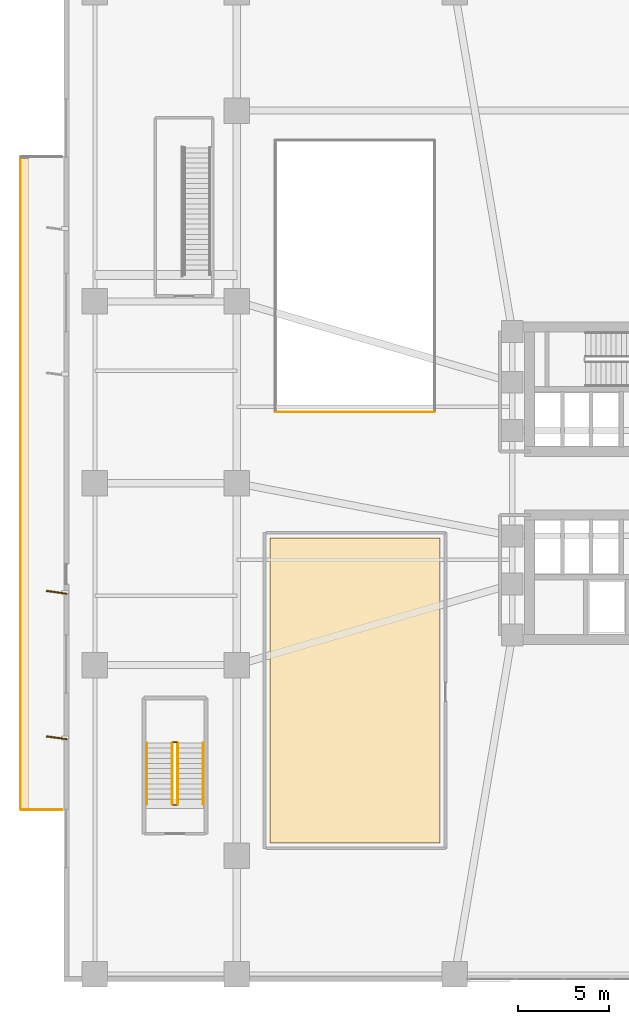
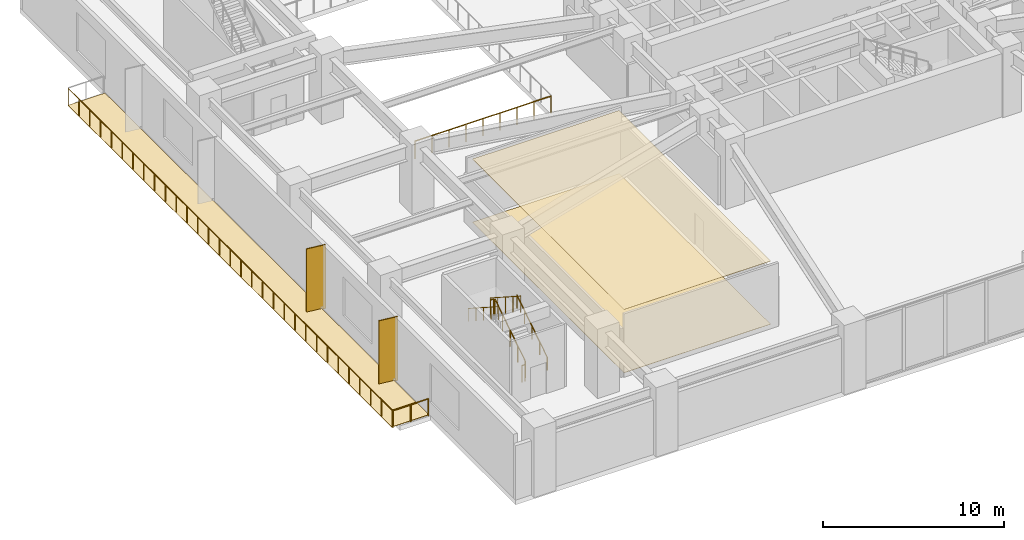
# One storey, part 10 of 13: 9 railings, 3 coverings, 2 shading devices.
"""IFC4 building model written with IfcOpenShell, lengths in metres."""

from ifc_helpers import new_model, si_unit, direction, frame, origin, origin_2d, place, context, subcontext, project, spatial, polyline, rectangle, circle, outline, extrude, material, layer, layer_set, type_object, element, save


model = new_model("IFC4")

# Units and contexts
model_context = context("Model", 3, precision=1e-05, world=origin(), true_north=direction((0.0, 1.0)))
body_context = subcontext(model_context, "Body", "Model", "MODEL_VIEW")
ifc_project = project(units=[si_unit("LENGTHUNIT", "METRE"), si_unit("AREAUNIT", "SQUARE_METRE"), si_unit("VOLUMEUNIT", "CUBIC_METRE"), si_unit("PLANEANGLEUNIT", "RADIAN"), si_unit("MASSUNIT", "GRAM", prefix="KILO")], contexts=[model_context])

# Site, building, storey
site_placement = place(None, origin())
site = spatial("IfcSite", under=ifc_project, at=site_placement, CompositionType="ELEMENT")
building_placement = place(site_placement, origin())
building = spatial("IfcBuilding", under=site, at=building_placement, Name="Solmarez Civic Tower", CompositionType="ELEMENT")
storey_placement = place(building_placement, frame((0.0, 0.0, 14.760009765625)))
storey = spatial("IfcBuildingStorey", under=building, at=storey_placement, Name="L03", CompositionType="ELEMENT", Elevation=14.760009765625)

# Coverings
ifc_material_1 = material(Name="Perforated Mineral-Fibre Acoustic Ceiling")
ifc_layer_1 = layer(ifc_material_1, 0.02490234375)
ifc_layer_set_1 = layer_set([ifc_layer_1], Name="Perforated Mineral-Fibre Acoustic Ceiling")
covering_type_1 = type_object("IfcCoveringType", Name="COV-CEIL-ACOUSTIC", PredefinedType="CEILING", material=ifc_layer_set_1)
covering_1_placement = place(storey_placement, frame((0.0, 0.0, 4.2548828125)))
element("IfcCovering", 1, at=covering_1_placement, inside=storey, type_object=covering_type_1, Name="L03 Suspended Acoustic Ceiling 1", PredefinedType="CEILING", context=body_context, shape_type="SweptSolid", body=[
    extrude(outline(polyline([(-12.820068359375, -19.780029296875), (-12.820068359375, -3.02001953125), (-22.179931640625, -3.02001953125), (-22.179931640625, -19.780029296875), (-12.820068359375, -19.780029296875)])), origin(), (0.0, 0.0, 1.0), 0.025146484375),
])
ifc_material_2 = material(Name="Polished Tropical Stone Terrazzo Flooring", Category="masonry")
ifc_layer_2 = layer(ifc_material_2, 0.02001953125)
ifc_layer_set_2 = layer_set([ifc_layer_2], Name="Polished Tropical Stone Terrazzo Flooring")
covering_type_2 = type_object("IfcCoveringType", Name="COV-FLOOR-TERRAZZO", PredefinedType="FLOORING", material=ifc_layer_set_2)
covering_2_placement = place(storey_placement, origin())
element("IfcCovering", 2, at=covering_2_placement, inside=storey, type_object=covering_type_2, Name="L03 Terrazzo Floor Finish 1", PredefinedType="FLOORING", context=body_context, shape_type="SweptSolid", body=[
    extrude(outline(polyline([(-12.820068359375, -19.780029296875), (-12.820068359375, -3.02001953125), (-22.179931640625, -3.02001953125), (-22.179931640625, -19.780029296875), (-12.820068359375, -19.780029296875)])), origin(), (0.0, 0.0, 1.0), 0.02001953125),
])
ifc_material_3 = material(Name="Elastomeric Terrace Waterproofing Membrane")
ifc_layer_3 = layer(ifc_material_3, 0.030029296875)
ifc_layer_set_3 = layer_set([ifc_layer_3], Name="Elastomeric Terrace Waterproofing Membrane")
covering_type_3 = type_object("IfcCoveringType", Name="COV-MEMBRANE-ROOF", PredefinedType="ROOFING", material=ifc_layer_set_3)
covering_3_placement = place(storey_placement, origin())
element("IfcCovering", 3, at=covering_3_placement, inside=storey, type_object=covering_type_3, Name="L03 Terrace Waterproofing Membrane W", PredefinedType="ROOFING", context=body_context, shape_type="SweptSolid", body=[
    extrude(outline(polyline([(-35.919921875, -17.89990234375), (-33.56005859375, -17.89990234375), (-33.56005859375, 17.89990234375), (-35.919921875, 17.89990234375), (-35.919921875, -17.89990234375)])), origin(), (0.0, 0.0, 1.0), 0.030029296875),
])

# Shading devices
ifc_material_4 = material(Name="Bronze Anodised Aluminium EN AW-6063 T6", Category="aluminium")
ifc_layer_4 = layer(ifc_material_4, 0.070068359375)
ifc_layer_set_4 = layer_set([ifc_layer_4], Name="Bronze Anodised Aluminium EN AW-6063 T6")
shading_device_type = type_object("IfcShadingDeviceType", Name="FIN-BRONZE-POD", PredefinedType="USERDEFINED", material=ifc_layer_set_4)
for number, where, z_axis, x_axis, name in (
    (4, (-33.89501953125, -14.0, -0.0400390625), (0.0, 0.0, 1.0), (-0.990983199715, 0.133986185418, 0.0), "L03 Anodised Bronze Solar Fin FIN-L03-W1"),
    (5, (-33.89501953125, -6.0, -0.0400390625), (0.0, 0.0, 1.0), (-0.990983199715, 0.133986185418, 0.0), "L03 Anodised Bronze Solar Fin FIN-L03-W2"),
):
    element("IfcShadingDevice", number, at=place(storey_placement, frame(where, z_axis=z_axis, x_axis=x_axis)), inside=storey, type_object=shading_device_type, Name=name, ObjectType="FIN", PredefinedType="USERDEFINED", context=body_context, shape_type="SweptSolid", body=[
        extrude(rectangle(XDim=1.14990234375, YDim=0.070068359375, at=origin_2d()), origin(), (0.0, 0.0, 1.0), 4.320068359375),
    ])

# Railings
ifc_material_5 = material(Name="Painted Steel Stairwell Safety Guard", Category="steel")
railing_type_1 = type_object("IfcRailingType", Name="GUARD-STAIR-1120", PredefinedType="BALUSTRADE", material=ifc_material_5)
railing_1_placement = place(storey_placement, frame((-27.25, -17.64990234375, 0.179931640625)))
element("IfcRailing", 6, at=railing_1_placement, inside=storey, type_object=railing_type_1, Name="L03 ST-P1 stair guard 1", PredefinedType="BALUSTRADE", context=body_context, shape_type="SweptSolid", body=[
    extrude(circle(Radius=0.02392578125, at=origin_2d()), frame((0.0, 0.0, 1.09619140625), z_axis=(0.0, 0.841150671818, 0.540800838849), x_axis=(-1.0, 0.0, 0.0)), (0.0, 0.0, 1.0), 3.994384765625),
    extrude(circle(Radius=0.02099609375, at=origin_2d()), origin(), (0.0, 0.0, 1.0), 1.072021484375),
    extrude(circle(Radius=0.02099609375, at=origin_2d()), frame((0.0, 0.83984375, 0.5400390625)), (0.0, 0.0, 1.0), 1.072021484375),
    extrude(circle(Radius=0.02099609375, at=origin_2d()), frame((0.0, 1.679931640625, 1.080078125)), (0.0, 0.0, 1.0), 1.072021484375),
    extrude(circle(Radius=0.02099609375, at=origin_2d()), frame((0.0, 2.52001953125, 1.6201171875)), (0.0, 0.0, 1.0), 1.072021484375),
    extrude(circle(Radius=0.02099609375, at=origin_2d()), frame((0.0, 3.35986328125, 2.16015625)), (0.0, 0.0, 1.0), 1.072021484375),
])
railing_2_placement = place(storey_placement, frame((-27.300048828125, -14.239990234375, 2.340087890625)))
element("IfcRailing", 7, at=railing_2_placement, inside=storey, type_object=railing_type_1, Name="L03 ST-P1 stair guard 2", PredefinedType="BALUSTRADE", context=body_context, shape_type="SweptSolid", body=[
    extrude(circle(Radius=0.02392578125, at=origin_2d()), frame((0.0, 0.0, 1.09619140625), z_axis=(-1.0, 0.0, 0.0), x_axis=(0.0, -1.0, 0.0)), (0.0, 0.0, 1.0), 0.199951171875),
    extrude(circle(Radius=0.02099609375, at=origin_2d()), origin(), (0.0, 0.0, 1.0), 1.072021484375),
    extrude(circle(Radius=0.02099609375, at=origin_2d()), frame((-0.199951171875, 0.0, 0.0)), (0.0, 0.0, 1.0), 1.072021484375),
])
railing_3_placement = place(storey_placement, frame((-27.550048828125, -14.2900390625, 2.52001953125)))
element("IfcRailing", 8, at=railing_3_placement, inside=storey, type_object=railing_type_1, Name="L03 ST-P1 stair guard 3", PredefinedType="BALUSTRADE", context=body_context, shape_type="SweptSolid", body=[
    extrude(circle(Radius=0.02392578125, at=origin_2d()), frame((0.0, 0.0, 1.09619140625), z_axis=(0.0, -0.841178475377, 0.540757591313), x_axis=(1.0, 0.0, 0.0)), (0.0, 0.0, 1.0), 3.994140625),
    extrude(circle(Radius=0.02099609375, at=origin_2d()), origin(), (0.0, 0.0, 1.0), 1.072021484375),
    extrude(circle(Radius=0.02099609375, at=origin_2d()), frame((0.0, -0.83984375, 0.5400390625)), (0.0, 0.0, 1.0), 1.072021484375),
    extrude(circle(Radius=0.02099609375, at=origin_2d()), frame((0.0, -1.679931640625, 1.080078125)), (0.0, 0.0, 1.0), 1.072021484375),
    extrude(circle(Radius=0.02099609375, at=origin_2d()), frame((0.0, -2.52001953125, 1.619873046875)), (0.0, 0.0, 1.0), 1.072021484375),
    extrude(circle(Radius=0.02099609375, at=origin_2d()), frame((0.0, -3.35986328125, 2.159912109375)), (0.0, 0.0, 1.0), 1.072021484375),
])
railing_4_placement = place(storey_placement, frame((-27.300048828125, -17.699951171875, 0.0)))
element("IfcRailing", 9, at=railing_4_placement, inside=storey, type_object=railing_type_1, Name="L03 ST-P1 stair guard 4", PredefinedType="BALUSTRADE", context=body_context, shape_type="SweptSolid", body=[
    extrude(circle(Radius=0.02392578125, at=origin_2d()), frame((0.0, 0.0, 1.09619140625), z_axis=(-1.0, 0.0, 0.0), x_axis=(0.0, -1.0, 0.0)), (0.0, 0.0, 1.0), 0.199951171875),
    extrude(circle(Radius=0.02099609375, at=origin_2d()), origin(), (0.0, 0.0, 1.0), 1.072021484375),
    extrude(circle(Radius=0.02099609375, at=origin_2d()), frame((-0.199951171875, 0.0, 0.0)), (0.0, 0.0, 1.0), 1.072021484375),
])
ifc_material_6 = material(Name="Bronze Anodised Aluminium and Laminated Safety Glass Balustrade", Category="aluminium")
railing_type_2 = type_object("IfcRailingType", Name="GUARD-TERR-1180", PredefinedType="BALUSTRADE", material=ifc_material_6)
railing_5_placement = place(storey_placement, frame((-33.614990234375, -17.949951171875, 0.0)))
element("IfcRailing", 10, at=railing_5_placement, inside=storey, type_object=railing_type_2, Name="L03 Safety Balustrade GRD-TERR-L03-W-1", PredefinedType="BALUSTRADE", context=body_context, shape_type="SweptSolid", body=[
    extrude(circle(Radius=0.02392578125, at=origin_2d()), frame((0.0, 0.0, 1.15576171875), z_axis=(-1.0, 0.0, 0.0), x_axis=(0.0, -1.0, 0.0)), (0.0, 0.0, 1.0), 2.25),
    extrude(circle(Radius=0.02099609375, at=origin_2d()), origin(), (0.0, 0.0, 1.0), 1.1318359375),
    extrude(circle(Radius=0.02099609375, at=origin_2d()), frame((-1.125, 0.0, 0.0)), (0.0, 0.0, 1.0), 1.1318359375),
    extrude(circle(Radius=0.02099609375, at=origin_2d()), frame((-2.25, 0.0, 0.0)), (0.0, 0.0, 1.0), 1.1318359375),
])
railing_6_placement = place(storey_placement, frame((-35.89990234375, -17.9150390625, 0.0)))
element("IfcRailing", 11, at=railing_6_placement, inside=storey, type_object=railing_type_2, Name="L03 Safety Balustrade GRD-TERR-L03-W-2", PredefinedType="BALUSTRADE", context=body_context, shape_type="SweptSolid", body=[
    extrude(circle(Radius=0.02392578125, at=origin_2d()), frame((0.0, 0.0, 1.15576171875), z_axis=(0.0, 1.0, 0.0), x_axis=(-1.0, 0.0, 0.0)), (0.0, 0.0, 1.0), 35.830078125),
    extrude(circle(Radius=0.02099609375, at=origin_2d()), origin(), (0.0, 0.0, 1.0), 1.1318359375),
    extrude(circle(Radius=0.02099609375, at=origin_2d()), frame((0.0, 1.1943359375, 0.0)), (0.0, 0.0, 1.0), 1.1318359375),
    extrude(circle(Radius=0.02099609375, at=origin_2d()), frame((0.0, 2.388671875, 0.0)), (0.0, 0.0, 1.0), 1.1318359375),
    extrude(circle(Radius=0.02099609375, at=origin_2d()), frame((0.0, 3.5830078125, 0.0)), (0.0, 0.0, 1.0), 1.1318359375),
    extrude(circle(Radius=0.02099609375, at=origin_2d()), frame((0.0, 4.77734375, 0.0)), (0.0, 0.0, 1.0), 1.1318359375),
    extrude(circle(Radius=0.02099609375, at=origin_2d()), frame((0.0, 5.9716796875, 0.0)), (0.0, 0.0, 1.0), 1.1318359375),
    extrude(circle(Radius=0.02099609375, at=origin_2d()), frame((0.0, 7.166015625, 0.0)), (0.0, 0.0, 1.0), 1.1318359375),
    extrude(circle(Radius=0.02099609375, at=origin_2d()), frame((0.0, 8.3603515625, 0.0)), (0.0, 0.0, 1.0), 1.1318359375),
    extrude(circle(Radius=0.02099609375, at=origin_2d()), frame((0.0, 9.5546875, 0.0)), (0.0, 0.0, 1.0), 1.1318359375),
    extrude(circle(Radius=0.02099609375, at=origin_2d()), frame((0.0, 10.7490234375, 0.0)), (0.0, 0.0, 1.0), 1.1318359375),
    extrude(circle(Radius=0.02099609375, at=origin_2d()), frame((0.0, 11.943359375, 0.0)), (0.0, 0.0, 1.0), 1.1318359375),
    extrude(circle(Radius=0.02099609375, at=origin_2d()), frame((0.0, 13.1376953125, 0.0)), (0.0, 0.0, 1.0), 1.1318359375),
    extrude(circle(Radius=0.02099609375, at=origin_2d()), frame((0.0, 14.33203125, 0.0)), (0.0, 0.0, 1.0), 1.1318359375),
    extrude(circle(Radius=0.02099609375, at=origin_2d()), frame((0.0, 15.5263671875, 0.0)), (0.0, 0.0, 1.0), 1.1318359375),
    extrude(circle(Radius=0.02099609375, at=origin_2d()), frame((0.0, 16.720703125, 0.0)), (0.0, 0.0, 1.0), 1.1318359375),
    extrude(circle(Radius=0.02099609375, at=origin_2d()), frame((0.0, 17.9150390625, 0.0)), (0.0, 0.0, 1.0), 1.1318359375),
    extrude(circle(Radius=0.02099609375, at=origin_2d()), frame((0.0, 19.109375, 0.0)), (0.0, 0.0, 1.0), 1.1318359375),
    extrude(circle(Radius=0.02099609375, at=origin_2d()), frame((0.0, 20.3037109375, 0.0)), (0.0, 0.0, 1.0), 1.1318359375),
    extrude(circle(Radius=0.02099609375, at=origin_2d()), frame((0.0, 21.498046875, 0.0)), (0.0, 0.0, 1.0), 1.1318359375),
    extrude(circle(Radius=0.02099609375, at=origin_2d()), frame((0.0, 22.6923828125, 0.0)), (0.0, 0.0, 1.0), 1.1318359375),
    extrude(circle(Radius=0.02099609375, at=origin_2d()), frame((0.0, 23.88671875, 0.0)), (0.0, 0.0, 1.0), 1.1318359375),
    extrude(circle(Radius=0.02099609375, at=origin_2d()), frame((0.0, 25.0810546875, 0.0)), (0.0, 0.0, 1.0), 1.1318359375),
    extrude(circle(Radius=0.02099609375, at=origin_2d()), frame((0.0, 26.275390625, 0.0)), (0.0, 0.0, 1.0), 1.1318359375),
    extrude(circle(Radius=0.02099609375, at=origin_2d()), frame((0.0, 27.4697265625, 0.0)), (0.0, 0.0, 1.0), 1.1318359375),
    extrude(circle(Radius=0.02099609375, at=origin_2d()), frame((0.0, 28.6640625, 0.0)), (0.0, 0.0, 1.0), 1.1318359375),
    extrude(circle(Radius=0.02099609375, at=origin_2d()), frame((0.0, 29.8583984375, 0.0)), (0.0, 0.0, 1.0), 1.1318359375),
    extrude(circle(Radius=0.02099609375, at=origin_2d()), frame((0.0, 31.052734375, 0.0)), (0.0, 0.0, 1.0), 1.1318359375),
    extrude(circle(Radius=0.02099609375, at=origin_2d()), frame((0.0, 32.2470703125, 0.0)), (0.0, 0.0, 1.0), 1.1318359375),
    extrude(circle(Radius=0.02099609375, at=origin_2d()), frame((0.0, 33.44140625, 0.0)), (0.0, 0.0, 1.0), 1.1318359375),
    extrude(circle(Radius=0.02099609375, at=origin_2d()), frame((0.0, 34.6357421875, 0.0)), (0.0, 0.0, 1.0), 1.1318359375),
    extrude(circle(Radius=0.02099609375, at=origin_2d()), frame((0.0, 35.830078125, 0.0)), (0.0, 0.0, 1.0), 1.1318359375),
])
railing_7_placement = place(storey_placement, frame((-21.844970703125, 3.919921875, 0.0)))
element("IfcRailing", 12, at=railing_7_placement, inside=storey, type_object=railing_type_2, Name="L03 Safety Balustrade GRD-VOID-L03-CHAM-1", PredefinedType="BALUSTRADE", context=body_context, shape_type="SweptSolid", body=[
    extrude(circle(Radius=0.02392578125, at=origin_2d()), frame((0.0, 0.0, 1.15576171875), z_axis=(1.0, 0.0, 0.0), x_axis=(0.0, 1.0, 0.0)), (0.0, 0.0, 1.0), 8.68994140625),
    extrude(circle(Radius=0.02099609375, at=origin_2d()), origin(), (0.0, 0.0, 1.0), 1.1318359375),
    extrude(circle(Radius=0.02099609375, at=origin_2d()), frame((1.086181640625, 0.0, 0.0)), (0.0, 0.0, 1.0), 1.1318359375),
    extrude(circle(Radius=0.02099609375, at=origin_2d()), frame((2.17236328125, 0.0, 0.0)), (0.0, 0.0, 1.0), 1.1318359375),
    extrude(circle(Radius=0.02099609375, at=origin_2d()), frame((3.2587890625, 0.0, 0.0)), (0.0, 0.0, 1.0), 1.1318359375),
    extrude(circle(Radius=0.02099609375, at=origin_2d()), frame((4.344970703125, 0.0, 0.0)), (0.0, 0.0, 1.0), 1.1318359375),
    extrude(circle(Radius=0.02099609375, at=origin_2d()), frame((5.43115234375, 0.0, 0.0)), (0.0, 0.0, 1.0), 1.1318359375),
    extrude(circle(Radius=0.02099609375, at=origin_2d()), frame((6.517578125, 0.0, 0.0)), (0.0, 0.0, 1.0), 1.1318359375),
    extrude(circle(Radius=0.02099609375, at=origin_2d()), frame((7.603759765625, 0.0, 0.0)), (0.0, 0.0, 1.0), 1.1318359375),
    extrude(circle(Radius=0.02099609375, at=origin_2d()), frame((8.68994140625, 0.0, 0.0)), (0.0, 0.0, 1.0), 1.1318359375),
])
ifc_material_7 = material(Name="Brushed Stainless Steel Tube Handrail", Category="steel")
railing_type_3 = type_object("IfcRailingType", Name="HANDRAIL-STAIR-900", PredefinedType="HANDRAIL", material=ifc_material_7)
railing_8_placement = place(storey_placement, frame((-25.85009765625, -17.64990234375, 0.179931640625)))
element("IfcRailing", 13, at=railing_8_placement, inside=storey, type_object=railing_type_3, Name="L03 ST-P1 stair handrail 1", PredefinedType="HANDRAIL", context=body_context, shape_type="SweptSolid", body=[
    extrude(circle(Radius=0.02392578125, at=origin_2d()), frame((0.0, 0.0, 0.8759765625), z_axis=(0.0, 0.841150671818, 0.540800838849), x_axis=(-1.0, 0.0, 0.0)), (0.0, 0.0, 1.0), 3.994384765625),
    extrude(circle(Radius=0.02099609375, at=origin_2d()), origin(), (0.0, 0.0, 1.0), 0.851806640625),
    extrude(circle(Radius=0.02099609375, at=origin_2d()), frame((0.0, 0.83984375, 0.5400390625)), (0.0, 0.0, 1.0), 0.851806640625),
    extrude(circle(Radius=0.02099609375, at=origin_2d()), frame((0.0, 1.679931640625, 1.080078125)), (0.0, 0.0, 1.0), 0.851806640625),
    extrude(circle(Radius=0.02099609375, at=origin_2d()), frame((0.0, 2.52001953125, 1.6201171875)), (0.0, 0.0, 1.0), 0.851806640625),
    extrude(circle(Radius=0.02099609375, at=origin_2d()), frame((0.0, 3.35986328125, 2.16015625)), (0.0, 0.0, 1.0), 0.851806640625),
])
railing_9_placement = place(storey_placement, frame((-28.949951171875, -14.2900390625, 2.52001953125)))
element("IfcRailing", 14, at=railing_9_placement, inside=storey, type_object=railing_type_3, Name="L03 ST-P1 stair handrail 2", PredefinedType="HANDRAIL", context=body_context, shape_type="SweptSolid", body=[
    extrude(circle(Radius=0.02392578125, at=origin_2d()), frame((0.0, 0.0, 0.8759765625), z_axis=(0.0, -0.841178475377, 0.540757591313), x_axis=(1.0, 0.0, 0.0)), (0.0, 0.0, 1.0), 3.994140625),
    extrude(circle(Radius=0.02099609375, at=origin_2d()), origin(), (0.0, 0.0, 1.0), 0.851806640625),
    extrude(circle(Radius=0.02099609375, at=origin_2d()), frame((0.0, -0.83984375, 0.5400390625)), (0.0, 0.0, 1.0), 0.851806640625),
    extrude(circle(Radius=0.02099609375, at=origin_2d()), frame((0.0, -1.679931640625, 1.080078125)), (0.0, 0.0, 1.0), 0.851806640625),
    extrude(circle(Radius=0.02099609375, at=origin_2d()), frame((0.0, -2.52001953125, 1.619873046875)), (0.0, 0.0, 1.0), 0.851806640625),
    extrude(circle(Radius=0.02099609375, at=origin_2d()), frame((0.0, -3.35986328125, 2.159912109375)), (0.0, 0.0, 1.0), 0.851806640625),
])

save(model, "model.ifc")
